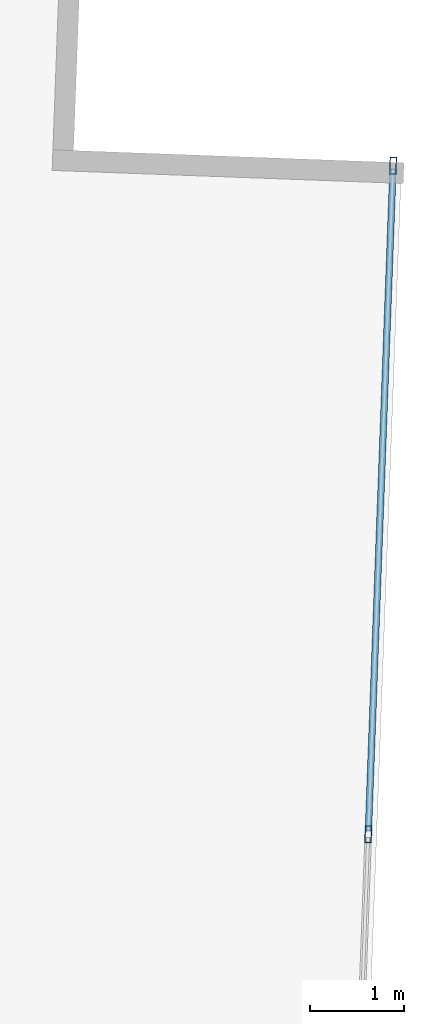
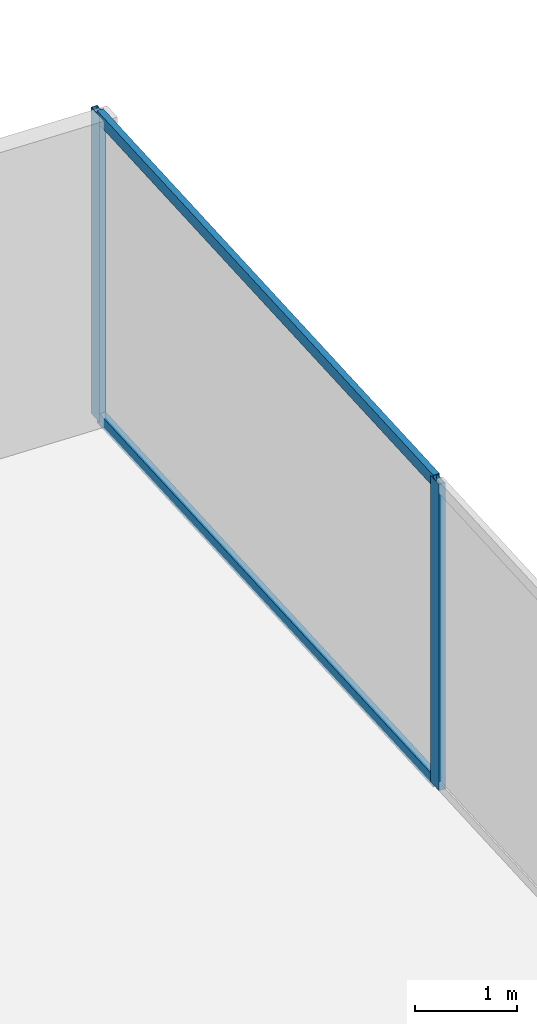
# One storey, part 24 of 30: 4 members, 1 element without a shape of its own.
"""IFC4 building model written with IfcOpenShell, lengths in metres."""

import ifcopenshell
import ifcopenshell.guid

model = None  # the IFC model being written
_history = None  # IfcOwnerHistory: only IFC2X3 demands one
_inside = {}  # id of a spatial element -> (the spatial element, [elements in it])
_under = {}  # id of a project, library or spatial element -> (it, [spatial elements below it])
_declared = {}  # id of a project -> (the project, [libraries it declares])
_typed = {}  # id of a type object -> (the type object, [elements of that type])
_made_of = {}  # id of a material, layer set ... -> (it, [elements and type objects made of it])


def new_model(schema):
    """Start an empty IFC model of exactly this schema.

    Asked for "IFC4X3", IfcOpenShell would pick the latest addendum, in which some entities
    have other attributes; the version numbers below select the first issue.
    IFC2X3 requires an IfcOwnerHistory on every rooted entity: one is made here for all.
    """
    global model, _history
    if schema == "IFC4X3":
        model = ifcopenshell.file(schema_version=(4, 3, 0, 0))
    else:
        model = ifcopenshell.file(schema=schema)
    _inside.clear()
    _under.clear()
    _declared.clear()
    _typed.clear()
    _made_of.clear()
    _history = None
    if model.schema == "IFC2X3":
        org = make("IfcOrganization", Name="unknown")
        user = make(
            "IfcPersonAndOrganization",
            ThePerson=make("IfcPerson", FamilyName="unknown"),
            TheOrganization=org,
        )
        app = make(
            "IfcApplication",
            ApplicationDeveloper=org,
            Version="unknown",
            ApplicationFullName="unknown",
            ApplicationIdentifier="unknown",
        )
        _history = make(
            "IfcOwnerHistory",
            OwningUser=user,
            OwningApplication=app,
            ChangeAction="ADDED",
            CreationDate=0,
        )
    return model


def make(cls, **values):
    """One entity of the class cls with the attributes given. An attribute that is None is left unset."""
    return model.create_entity(
        cls, **{name: value for name, value in values.items() if value is not None}
    )


def rooted(cls, **values):
    """An entity with a GlobalId (a new one), such as an element, a storey or a relation."""
    return make(cls, GlobalId=ifcopenshell.guid.new(), OwnerHistory=_history, **values)


def si_unit(unit_type, name, prefix=None):
    """IfcSIUnit, for example si_unit("LENGTHUNIT", "METRE", prefix="MILLI")."""
    return make("IfcSIUnit", UnitType=unit_type, Prefix=prefix, Name=name)


def assignment(units):
    """IfcUnitAssignment: the units of a project."""
    return None if units is None else make("IfcUnitAssignment", Units=units)


def point(xyz):
    """IfcCartesianPoint."""
    return None if xyz is None else make("IfcCartesianPoint", Coordinates=xyz)


def direction(xyz):
    """IfcDirection."""
    return None if xyz is None else make("IfcDirection", DirectionRatios=xyz)


def frame(location, z_axis=None, x_axis=None):
    """IfcAxis2Placement3D, a coordinate frame: its origin and axes. An axis left out is left unset."""
    return make(
        "IfcAxis2Placement3D",
        Location=point(location),
        Axis=direction(z_axis),
        RefDirection=direction(x_axis),
    )


def frame_2d(location, x_axis=None):
    """IfcAxis2Placement2D, a coordinate frame in the plane: its origin and x axis."""
    return make(
        "IfcAxis2Placement2D", Location=point(location), RefDirection=direction(x_axis)
    )


def origin():
    """The frame at (0, 0, 0) with its axes left unset."""
    return frame((0.0, 0.0, 0.0))


def origin_2d():
    """The frame at (0, 0) in the plane with its x axis left unset."""
    return frame_2d((0.0, 0.0))


def place(relative_to, where):
    """IfcLocalPlacement: puts the frame where relative to a parent placement (None: the world)."""
    return make(
        "IfcLocalPlacement", PlacementRelTo=relative_to, RelativePlacement=where
    )


def context(
    kind, dimensions, precision=None, world=None, true_north=None, identifier=None
):
    """IfcGeometricRepresentationContext, for example the 3D "Model" context."""
    return make(
        "IfcGeometricRepresentationContext",
        ContextIdentifier=identifier,
        ContextType=kind,
        CoordinateSpaceDimension=dimensions,
        Precision=precision,
        WorldCoordinateSystem=world,
        TrueNorth=true_north,
    )


def subcontext(parent, identifier, kind, view, scale=None):
    """IfcGeometricRepresentationSubContext, for example "Body" below "Model"."""
    return make(
        "IfcGeometricRepresentationSubContext",
        ContextIdentifier=identifier,
        ContextType=kind,
        ParentContext=parent,
        TargetScale=scale,
        TargetView=view,
    )


def project(units=None, contexts=None):
    """IfcProject with its units and contexts."""
    return rooted(
        "IfcProject",
        Name="project",
        RepresentationContexts=contexts,
        UnitsInContext=assignment(units),
    )


def spatial(cls, under=None, at=None, **own):
    """A site, building, storey or space (cls), placed at a placement, below another one or the project."""
    s = rooted(cls, ObjectPlacement=at, **own)
    if under is not None:
        _under.setdefault(under.id(), (under, []))[1].append(s)
    return s


def profile(cls, at=None, kind="AREA", **sizes):
    """A parametric profile (cls). Its sizes go by their IFC names, for example OverallWidth=200.0."""
    return make(cls, ProfileType=kind, Position=at, **sizes)


def hollow_rectangle(**sizes):
    """IfcRectangleHollowProfileDef."""
    return profile("IfcRectangleHollowProfileDef", **sizes)


def extrude(swept, where, along, depth):
    """IfcExtrudedAreaSolid: the profile swept, set in the frame where, extruded along a direction by depth."""
    return make(
        "IfcExtrudedAreaSolid",
        SweptArea=swept,
        Position=where,
        ExtrudedDirection=direction(along),
        Depth=depth,
    )


def shape(context_of_items, identifier, shape_type, items):
    """IfcShapeRepresentation: the items that make up one representation, for example the "Body"."""
    return make(
        "IfcShapeRepresentation",
        ContextOfItems=context_of_items,
        RepresentationIdentifier=identifier,
        RepresentationType=shape_type,
        Items=items,
    )


def source(mapping_origin, context_of_items, identifier, shape_type, items):
    """IfcRepresentationMap: a shape defined once, which mapped items show again and again."""
    return make(
        "IfcRepresentationMap",
        MappingOrigin=mapping_origin,
        MappedRepresentation=shape(context_of_items, identifier, shape_type, items),
    )


def transform(
    local_origin,
    x_axis=None,
    y_axis=None,
    z_axis=None,
    scale=None,
    scale2=None,
    scale3=None,
    uniform=True,
):
    """IfcCartesianTransformationOperator3D, or its non-uniform kind. x_axis, y_axis, z_axis: its Axis1, 2, 3."""
    if uniform:
        return make(
            "IfcCartesianTransformationOperator3D",
            Axis1=direction(x_axis),
            Axis2=direction(y_axis),
            LocalOrigin=point(local_origin),
            Scale=scale,
            Axis3=direction(z_axis),
        )
    return make(
        "IfcCartesianTransformationOperator3DnonUniform",
        Axis1=direction(x_axis),
        Axis2=direction(y_axis),
        LocalOrigin=point(local_origin),
        Scale=scale,
        Axis3=direction(z_axis),
        Scale2=scale2,
        Scale3=scale3,
    )


def mapped(mapping_source, mapping_target):
    """IfcMappedItem: shows the shape of a source again, moved by a transform."""
    return make(
        "IfcMappedItem", MappingSource=mapping_source, MappingTarget=mapping_target
    )


def material(Name=None, Category=None):
    """IfcMaterial."""
    return make("IfcMaterial", Name=Name, Category=Category)


def material_profile(
    of_material, cross_section, Name=None, Category=None, Priority=None
):
    """IfcMaterialProfile: a cross section and its material."""
    return make(
        "IfcMaterialProfile",
        Name=Name,
        Material=of_material,
        Profile=cross_section,
        Priority=Priority,
        Category=Category,
    )


def profile_set(profiles, Name=None, composite=None):
    """IfcMaterialProfileSet."""
    return make(
        "IfcMaterialProfileSet",
        Name=Name,
        MaterialProfiles=profiles,
        CompositeProfile=composite,
    )


def made_of(thing, what):
    """Note that an element or type object is made of a material, layer set ...; save() writes the relation."""
    if what is not None:
        _made_of.setdefault(what.id(), (what, []))[1].append(thing)
    return thing


def type_object(cls, material=None, **own):
    """A type object (cls), such as IfcWallType, which elements share."""
    return made_of(rooted(cls, **own), material)


def type_shapes(of_type, sources):
    """Give a type object the sources (RepresentationMaps) that its elements show as mapped items."""
    of_type.RepresentationMaps = sources


def element(
    cls,
    number,
    at=None,
    inside=None,
    cuts=None,
    type_object=None,
    material=None,
    context=None,
    identifier="Body",
    shape_type=None,
    held_by="IfcProductDefinitionShape",
    body=None,
    shapes=None,
    **own,
):
    """One element of the class cls, such as IfcWall. Its Tag is "e" and its number.

    at: its placement. inside: the storey or other place that contains it. cuts: it is an
    opening in that element (IfcRelVoidsElement). A single representation is given by context,
    identifier, shape_type and body (its items); several are given by shapes. held_by: the class
    of the entity that holds the representations. save() writes the other relations.
    """
    e = rooted(cls, Tag="e%d" % number, ObjectPlacement=at, **own)
    if body is not None:
        shapes = [shape(context, identifier, shape_type, body)]
    if shapes is not None:
        e.Representation = make(held_by, Representations=shapes)
    if inside is not None:
        _inside.setdefault(inside.id(), (inside, []))[1].append(e)
    if cuts is not None:
        rooted(
            "IfcRelVoidsElement", RelatingBuildingElement=cuts, RelatedOpeningElement=e
        )
    if type_object is not None:
        _typed.setdefault(type_object.id(), (type_object, []))[1].append(e)
    return made_of(e, material)


def aggregate(whole, parts):
    """IfcRelAggregates: a whole, such as a stair, and the parts it consists of."""
    return rooted("IfcRelAggregates", RelatingObject=whole, RelatedObjects=parts)


def save(model, path):
    """Write the relations noted so far, then the file.

    IfcRelAggregates (storeys below a building ...), IfcRelContainedInSpatialStructure (elements
    in a storey), IfcRelDefinesByType, IfcRelAssociatesMaterial and IfcRelDeclares: one each for
    every whole, place, type object, material and project.
    """
    for whole, parts in _under.values():
        aggregate(whole, parts)
    for where, things in _inside.values():
        rooted(
            "IfcRelContainedInSpatialStructure",
            RelatedElements=things,
            RelatingStructure=where,
        )
    for kind, things in _typed.values():
        rooted("IfcRelDefinesByType", RelatedObjects=things, RelatingType=kind)
    for what, things in _made_of.values():
        rooted("IfcRelAssociatesMaterial", RelatedObjects=things, RelatingMaterial=what)
    for by, libraries in _declared.values():
        rooted("IfcRelDeclares", RelatingContext=by, RelatedDefinitions=libraries)
    model.write(path)


model = new_model("IFC4")

# Units and contexts
model_context = context("Model", 3, precision=1e-05, world=origin(), true_north=direction((0.0, 1.0)))
body_context = subcontext(model_context, "Body", "Model", "MODEL_VIEW")
ifc_project = project(units=[si_unit("LENGTHUNIT", "METRE"), si_unit("AREAUNIT", "SQUARE_METRE"), si_unit("VOLUMEUNIT", "CUBIC_METRE"), si_unit("PLANEANGLEUNIT", "RADIAN"), si_unit("MASSUNIT", "GRAM", prefix="KILO")], contexts=[model_context])

# Site, building, storey
site_placement = place(None, origin())
site = spatial("IfcSite", under=ifc_project, at=site_placement, CompositionType="ELEMENT")
building_placement = place(site_placement, origin())
building = spatial("IfcBuilding", under=site, at=building_placement, Name="Krantzveldt Concourse Tower", CompositionType="ELEMENT")
storey_placement = place(building_placement, frame((0.0, 0.0, 36.85009765625)))
storey = spatial("IfcBuildingStorey", under=building, at=storey_placement, Name="L08", CompositionType="ELEMENT", Elevation=36.85009765625)

# Curtain wall, members
ifc_material = material(Name="Anodised aluminium 6063-T6", Category="aluminium")
curtain_wall_type = type_object("IfcCurtainWallType", Name="CW2", PredefinedType="USERDEFINED", material=ifc_material)
curtain_wall_placement = place(storey_placement, origin())
curtain_wall = element("IfcCurtainWall", 1, at=curtain_wall_placement, inside=storey, type_object=curtain_wall_type, Name="CW-L08-F07", ObjectType="UNITISED CURTAIN WALL", PredefinedType="USERDEFINED")
ifc_material_profile_1 = material_profile(ifc_material, hollow_rectangle(XDim=0.070068359375, YDim=0.179931640625, WallThickness=0.0048828125, at=origin_2d()), Name="Anodised aluminium 6063-T6", Category="aluminium")
ifc_profile_set_1 = profile_set([ifc_material_profile_1], Name="Anodised aluminium 6063-T6 - ALU-MULL 180x70x5")
member_type_1 = type_object("IfcMemberType", Name="CW-MUL-180", PredefinedType="MULLION", material=ifc_profile_set_1)
shared_shape_1 = source(origin(), body_context, "Body", "SweptSolid", [
    extrude(hollow_rectangle(XDim=0.070068359375, YDim=0.179931640625, WallThickness=0.0048828125, at=origin_2d()), origin(), (0.0, 0.0, 1.0), 3.669921875),
])
type_shapes(member_type_1, [shared_shape_1])
member_1_placement = place(storey_placement, frame((61.42431640625, 40.099853515625, 0.0), z_axis=(0.0, 0.0, 1.0), x_axis=(-0.999312308986, 0.037079766834, 0.0)))
member_1 = element("IfcMember", 2, at=member_1_placement, type_object=member_type_1, Name="CW-Z12 mullion 6", PredefinedType="MULLION", context=body_context, shape_type="MappedRepresentation", body=[
    mapped(shared_shape_1, transform((0.0, 0.0, 0.0), x_axis=(1.0, 0.0, 0.0), y_axis=(0.0, 1.0, 0.0), z_axis=(0.0, 0.0, 1.0), scale=1.0)),
])
member_2_placement = place(storey_placement, frame((61.688720703125, 47.2265625, 0.0), z_axis=(0.0, 0.0, 1.0), x_axis=(-0.999312308986, 0.037079766834, 0.0)))
member_2 = element("IfcMember", 3, at=member_2_placement, type_object=member_type_1, Name="CW-Z12 mullion 7", PredefinedType="MULLION", context=body_context, shape_type="MappedRepresentation", body=[
    mapped(shared_shape_1, transform((0.0, 0.0, 0.0), x_axis=(1.0, 0.0, 0.0), y_axis=(0.0, 1.0, 0.0), z_axis=(0.0, 0.0, 1.0), scale=1.0)),
])
ifc_material_profile_2 = material_profile(ifc_material, hollow_rectangle(XDim=0.070068359375, YDim=0.139892578125, WallThickness=0.0048828125, at=origin_2d()), Name="Anodised aluminium 6063-T6", Category="aluminium")
ifc_profile_set_2 = profile_set([ifc_material_profile_2], Name="Anodised aluminium 6063-T6 - ALU-TRAN 140x70x5")
member_type_2 = type_object("IfcMemberType", Name="CW-TRN-150", PredefinedType="USERDEFINED", material=ifc_profile_set_2)
shared_shape_2 = source(origin(), body_context, "Body", "SweptSolid", [
    extrude(hollow_rectangle(XDim=0.070068359375, YDim=0.139892578125, WallThickness=0.0048828125, at=origin_2d()), origin(), (0.0, 0.0, 1.0), 7.061767578125),
])
type_shapes(member_type_2, [shared_shape_2])
member_3_placement = place(storey_placement, frame((61.425537109375, 40.134765625, 0.034912109375), z_axis=(0.037096054624, 0.99931170449, 0.0), x_axis=(-0.99931170449, 0.037096054624, 0.0)))
member_3 = element("IfcMember", 4, at=member_3_placement, type_object=member_type_2, Name="CW-Z12 transom 6.1", ObjectType="TRANSOM", PredefinedType="USERDEFINED", context=body_context, shape_type="MappedRepresentation", body=[
    mapped(shared_shape_2, transform((0.0, 0.0, 0.0), x_axis=(1.0, 0.0, 0.0), y_axis=(0.0, 1.0, 0.0), z_axis=(0.0, 0.0, 1.0), scale=1.0)),
])
member_4_placement = place(storey_placement, frame((61.425537109375, 40.134765625, 3.635009765625), z_axis=(0.037096054624, 0.99931170449, 0.0), x_axis=(-0.99931170449, 0.037096054624, 0.0)))
member_4 = element("IfcMember", 5, at=member_4_placement, type_object=member_type_2, Name="CW-Z12 transom 6.2", ObjectType="TRANSOM", PredefinedType="USERDEFINED", context=body_context, shape_type="MappedRepresentation", body=[
    mapped(shared_shape_2, transform((0.0, 0.0, 0.0), x_axis=(1.0, 0.0, 0.0), y_axis=(0.0, 1.0, 0.0), z_axis=(0.0, 0.0, 1.0), scale=1.0)),
])
aggregate(curtain_wall, [member_1, member_2, member_3, member_4])

save(model, "model.ifc")
